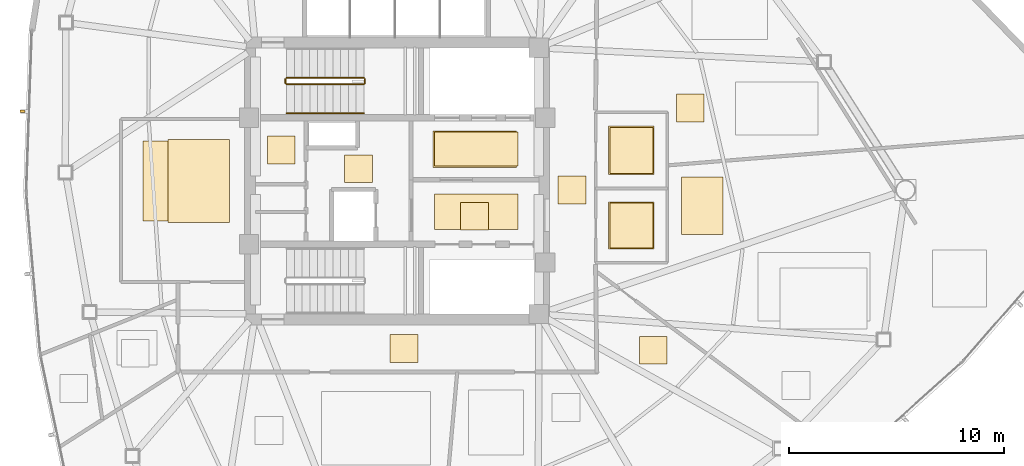
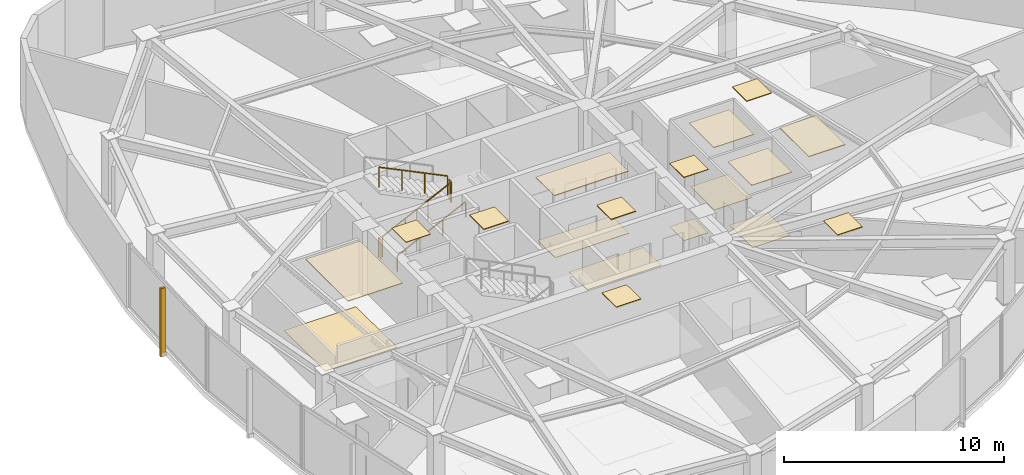
# One storey, part 15 of 17: 18 coverings, 5 railings, 1 shading device.
"""IFC4 building model written with IfcOpenShell, lengths in metres."""

from ifc_helpers import new_model, si_unit, direction, frame, origin, origin_2d, place, context, subcontext, project, spatial, polyline, rectangle, outline, extrude, source, transform, mapped, material, layer, layer_set, type_object, type_shapes, element, save


model = new_model("IFC4")

# Units and contexts
model_context = context("Model", 3, precision=1e-05, world=origin(), true_north=direction((0.0, 1.0)))
body_context = subcontext(model_context, "Body", "Model", "MODEL_VIEW")
ifc_project = project(units=[si_unit("LENGTHUNIT", "METRE"), si_unit("AREAUNIT", "SQUARE_METRE"), si_unit("VOLUMEUNIT", "CUBIC_METRE"), si_unit("PLANEANGLEUNIT", "RADIAN"), si_unit("MASSUNIT", "GRAM", prefix="KILO")], contexts=[model_context])

# Site, building, storey
site_placement = place(None, origin())
site = spatial("IfcSite", under=ifc_project, at=site_placement, CompositionType="ELEMENT")
building_placement = place(site_placement, origin())
building = spatial("IfcBuilding", under=site, at=building_placement, Name="Tavelor Broadcast Tower", CompositionType="ELEMENT")
storey_placement = place(building_placement, frame((0.0, 0.0, 165.64990234375)))
storey = spatial("IfcBuildingStorey", under=building, at=storey_placement, Name="L39", CompositionType="ELEMENT", Elevation=165.64990234375)

# Coverings
ifc_material_1 = material(Name="Copper-Bronze Anodized Aluminium", Category="aluminium")
ifc_layer_1 = layer(ifc_material_1, 0.044921875)
ifc_layer_set_1 = layer_set([ifc_layer_1], Name="Copper-Bronze Anodized Aluminium")
covering_type_1 = type_object("IfcCoveringType", Name="Anodised Bronze Linear Slatted Concourse Ceiling 45 mm", PredefinedType="CEILING", material=ifc_layer_set_1)
covering_1_placement = place(storey_placement, frame((0.0, 0.0, 3.505126953125)))
element("IfcCovering", 1, at=covering_1_placement, inside=storey, type_object=covering_type_1, Name="L39 Suspended Acoustic Ceiling 1613", PredefinedType="CEILING", context=body_context, shape_type="SweptSolid", body=[
    extrude(outline(polyline([(51.659912109375, 45.6318359375), (55.55712890625, 45.6318359375), (55.55712890625, 47.328125), (51.659912109375, 47.328125), (51.659912109375, 45.6318359375)])), origin(), (0.0, 0.0, 1.0), 0.044921875),
])
covering_2_placement = place(storey_placement, frame((0.0, 0.0, 3.505126953125)))
element("IfcCovering", 2, at=covering_2_placement, inside=storey, type_object=covering_type_1, Name="L39 Suspended Acoustic Ceiling 1614", PredefinedType="CEILING", context=body_context, shape_type="SweptSolid", body=[
    extrude(outline(polyline([(52.95361328125, 42.705078125), (54.25341796875, 42.705078125), (54.25341796875, 44.0048828125), (52.95361328125, 44.0048828125), (52.95361328125, 42.705078125)])), origin(), (0.0, 0.0, 1.0), 0.044921875),
])
covering_3_placement = place(storey_placement, frame((0.0, 0.0, 3.505126953125)))
element("IfcCovering", 3, at=covering_3_placement, inside=storey, type_object=covering_type_1, Name="L39 Suspended Acoustic Ceiling 1615", PredefinedType="CEILING", context=body_context, shape_type="SweptSolid", body=[
    extrude(outline(polyline([(47.544921875, 44.919921875), (48.844970703125, 44.919921875), (48.844970703125, 46.219970703125), (47.544921875, 46.219970703125), (47.544921875, 44.919921875)])), origin(), (0.0, 0.0, 1.0), 0.044921875),
])

# Railing
ifc_material_2 = material(Name="Steel S355", Category="steel")
railing_type_1 = type_object("IfcRailingType", Name="Continuous Brushed Stainless Handrail 900 mm", PredefinedType="HANDRAIL", material=ifc_material_2)
railing_1_placement = place(storey_placement, frame((44.85009765625, 48.14990234375, 0.175048828125)))
element("IfcRailing", 4, at=railing_1_placement, inside=storey, type_object=railing_type_1, Name="L39 ST1 stair handrail 1", PredefinedType="HANDRAIL", context=body_context, shape_type="SweptSolid", body=[
    extrude(rectangle(XDim=0.048095703125, YDim=0.048095703125, at=origin_2d()), frame((0.0, 0.0, 0.8759765625), z_axis=(0.899360859046, 0.0, 0.437207096483), x_axis=(0.0, 1.0, 0.0)), (0.0, 0.0, 1.0), 4.002685546875),
    extrude(rectangle(XDim=0.0419921875, YDim=0.0419921875, at=origin_2d()), origin(), (0.0, 0.0, 1.0), 0.851806640625),
    extrude(rectangle(XDim=0.0419921875, YDim=0.0419921875, at=origin_2d()), frame((1.199951171875, 0.0, 0.583251953125)), (0.0, 0.0, 1.0), 0.851806640625),
    extrude(rectangle(XDim=0.0419921875, YDim=0.0419921875, at=origin_2d()), frame((2.39990234375, 0.0, 1.166748046875)), (0.0, 0.0, 1.0), 0.851806640625),
    extrude(rectangle(XDim=0.0419921875, YDim=0.0419921875, at=origin_2d()), frame((3.599853515625, 0.0, 1.75)), (0.0, 0.0, 1.0), 0.851806640625),
])

# Coverings
ifc_material_3 = material(Name="Architectural Anodized Aluminium", Category="aluminium")
ifc_layer_2 = layer(ifc_material_3, 0.034912109375)
ifc_layer_set_2 = layer_set([ifc_layer_2], Name="Architectural Anodized Aluminium")
covering_type_2 = type_object("IfcCoveringType", Name="Demountable Metal Tile Corridor Ceiling 35 mm", PredefinedType="CEILING", material=ifc_layer_set_2)
covering_4_placement = place(storey_placement, frame((0.0, 0.0, 3.51513671875)))
element("IfcCovering", 5, at=covering_4_placement, inside=storey, type_object=covering_type_2, Name="L39 Suspended Acoustic Ceiling 1617", PredefinedType="CEILING", context=body_context, shape_type="SweptSolid", body=[
    extrude(outline(polyline([(57.489990234375, 43.925048828125), (58.7900390625, 43.925048828125), (58.7900390625, 45.22509765625), (57.489990234375, 45.22509765625), (57.489990234375, 43.925048828125)])), origin(), (0.0, 0.0, 1.0), 0.034912109375),
])
covering_5_placement = place(storey_placement, frame((0.0, 0.0, 3.51513671875)))
element("IfcCovering", 6, at=covering_5_placement, inside=storey, type_object=covering_type_2, Name="L39 Suspended Acoustic Ceiling 1618", PredefinedType="CEILING", context=body_context, shape_type="SweptSolid", body=[
    extrude(outline(polyline([(49.669921875, 36.550048828125), (50.9697265625, 36.550048828125), (50.9697265625, 37.85009765625), (49.669921875, 37.85009765625), (49.669921875, 36.550048828125)])), origin(), (0.0, 0.0, 1.0), 0.034912109375),
])
ifc_material_4 = material(Name="Acoustic Nylon Carpet Tile")
ifc_layer_3 = layer(ifc_material_4, 0.02001953125)
ifc_layer_set_3 = layer_set([ifc_layer_3], Name="Acoustic Nylon Carpet Tile")
covering_type_3 = type_object("IfcCoveringType", Name="Heavy-Duty Acoustic Broadcast Carpet Tile 20 mm", PredefinedType="FLOORING", material=ifc_layer_set_3)
covering_6_placement = place(storey_placement, origin())
element("IfcCovering", 7, at=covering_6_placement, inside=storey, type_object=covering_type_3, Name="L39 Broadcast Floor Finish 0571", PredefinedType="FLOORING", context=body_context, shape_type="SweptSolid", body=[
    extrude(outline(polyline([(57.489990234375, 43.925048828125), (58.7900390625, 43.925048828125), (58.7900390625, 45.22509765625), (57.489990234375, 45.22509765625), (57.489990234375, 43.925048828125)])), origin(), (0.0, 0.0, 1.0), 0.02001953125),
])
covering_7_placement = place(storey_placement, origin())
element("IfcCovering", 8, at=covering_7_placement, inside=storey, type_object=covering_type_3, Name="L39 Broadcast Floor Finish 0572", PredefinedType="FLOORING", context=body_context, shape_type="SweptSolid", body=[
    extrude(outline(polyline([(38.15771484375, 43.12890625), (41.942138671875, 43.12890625), (41.942138671875, 46.87060546875), (38.15771484375, 46.87060546875), (38.15771484375, 43.12890625)])), origin(), (0.0, 0.0, 1.0), 0.02001953125),
])
ifc_material_5 = material(Name="Honed Natural Limestone Tile", Category="masonry")
ifc_layer_4 = layer(ifc_material_5, 0.030029296875)
ifc_layer_set_4 = layer_set([ifc_layer_4], Name="Honed Natural Limestone Tile")
covering_type_4 = type_object("IfcCoveringType", Name="Honed Jerusalem Limestone Concourse Flooring 30 mm", PredefinedType="FLOORING", material=ifc_layer_set_4)
covering_8_placement = place(storey_placement, origin())
element("IfcCovering", 9, at=covering_8_placement, inside=storey, type_object=covering_type_4, Name="L39 Broadcast Floor Finish 0569", PredefinedType="FLOORING", context=body_context, shape_type="SweptSolid", body=[
    extrude(outline(polyline([(51.7373046875, 45.689453125), (55.62255859375, 45.689453125), (55.62255859375, 47.2705078125), (51.7373046875, 47.2705078125), (51.7373046875, 45.689453125)])), origin(), (0.0, 0.0, 1.0), 0.030029296875),
])
covering_9_placement = place(storey_placement, origin())
element("IfcCovering", 10, at=covering_9_placement, inside=storey, type_object=covering_type_4, Name="L39 Broadcast Floor Finish 0570", PredefinedType="FLOORING", context=body_context, shape_type="SweptSolid", body=[
    extrude(outline(polyline([(51.728759765625, 42.743408203125), (55.62109375, 42.743408203125), (55.62109375, 44.396484375), (51.728759765625, 44.396484375), (51.728759765625, 42.743408203125)])), origin(), (0.0, 0.0, 1.0), 0.030029296875),
])
ifc_layer_5 = layer(ifc_material_3, 0.030029296875)
ifc_layer_set_5 = layer_set([ifc_layer_5], Name="Architectural Anodized Aluminium")
covering_type_5 = type_object("IfcCoveringType", Name="Moisture-Resistant Washroom Ceiling 30 mm", PredefinedType="CEILING", material=ifc_layer_set_5)
covering_10_placement = place(storey_placement, frame((0.0, 0.0, 3.52001953125)))
element("IfcCovering", 11, at=covering_10_placement, inside=storey, type_object=covering_type_5, Name="L39 Suspended Acoustic Ceiling 1616", PredefinedType="CEILING", context=body_context, shape_type="SweptSolid", body=[
    extrude(outline(polyline([(43.951416015625, 45.794921875), (45.25146484375, 45.794921875), (45.25146484375, 47.094970703125), (43.951416015625, 47.094970703125), (43.951416015625, 45.794921875)])), origin(), (0.0, 0.0, 1.0), 0.030029296875),
])
covering_11_placement = place(storey_placement, frame((0.0, 0.0, 3.52001953125)))
element("IfcCovering", 12, at=covering_11_placement, inside=storey, type_object=covering_type_5, Name="L39 Suspended Acoustic Ceiling 1620", PredefinedType="CEILING", context=body_context, shape_type="SweptSolid", body=[
    extrude(outline(polyline([(59.85302734375, 41.828369140625), (61.967041015625, 41.828369140625), (61.967041015625, 44.021484375), (59.85302734375, 44.021484375), (59.85302734375, 41.828369140625)])), origin(), (0.0, 0.0, 1.0), 0.030029296875),
])
covering_12_placement = place(storey_placement, frame((0.0, 0.0, 3.52001953125)))
element("IfcCovering", 13, at=covering_12_placement, inside=storey, type_object=covering_type_5, Name="L39 Suspended Acoustic Ceiling 1621", PredefinedType="CEILING", context=body_context, shape_type="SweptSolid", body=[
    extrude(outline(polyline([(59.85302734375, 45.29248046875), (61.967041015625, 45.29248046875), (61.967041015625, 47.5576171875), (59.85302734375, 47.5576171875), (59.85302734375, 45.29248046875)])), origin(), (0.0, 0.0, 1.0), 0.030029296875),
])
ifc_material_6 = material(Name="Slip-Resistant Porcelain Tile")
ifc_layer_6 = layer(ifc_material_6, 0.02490234375)
ifc_layer_set_6 = layer_set([ifc_layer_6], Name="Slip-Resistant Porcelain Tile")
covering_type_6 = type_object("IfcCoveringType", Name="Slip-Resistant Porcelain Wet-Area Floor Tile 25 mm", PredefinedType="FLOORING", material=ifc_layer_set_6)
covering_13_placement = place(storey_placement, origin())
element("IfcCovering", 14, at=covering_13_placement, inside=storey, type_object=covering_type_6, Name="L39 Broadcast Floor Finish 0573", PredefinedType="FLOORING", context=body_context, shape_type="SweptSolid", body=[
    extrude(outline(polyline([(59.91064453125, 41.885986328125), (61.909423828125, 41.885986328125), (61.909423828125, 43.964111328125), (59.91064453125, 43.964111328125), (59.91064453125, 41.885986328125)])), origin(), (0.0, 0.0, 1.0), 0.025146484375),
])
covering_14_placement = place(storey_placement, origin())
element("IfcCovering", 15, at=covering_14_placement, inside=storey, type_object=covering_type_6, Name="L39 Broadcast Floor Finish 0574", PredefinedType="FLOORING", context=body_context, shape_type="SweptSolid", body=[
    extrude(outline(polyline([(59.91064453125, 45.35009765625), (61.909423828125, 45.35009765625), (61.909423828125, 47.5), (59.91064453125, 47.5), (59.91064453125, 45.35009765625)])), origin(), (0.0, 0.0, 1.0), 0.025146484375),
])

# Railings
railing_type_2 = type_object("IfcRailingType", Name="Stairwell Steel Safety Guardrail 1150 mm", PredefinedType="GUARDRAIL", material=ifc_material_2)
railing_2_placement = place(storey_placement, frame((44.85009765625, 49.5, 0.175048828125)))
element("IfcRailing", 16, at=railing_2_placement, inside=storey, type_object=railing_type_2, Name="L39 ST1 stair guard 1", PredefinedType="GUARDRAIL", context=body_context, shape_type="SweptSolid", body=[
    extrude(rectangle(XDim=0.048095703125, YDim=0.048095703125, at=origin_2d()), frame((0.0, 0.0, 1.1259765625), z_axis=(0.899360859046, 0.0, 0.437207096483), x_axis=(0.0, 1.0, 0.0)), (0.0, 0.0, 1.0), 4.002685546875),
    extrude(rectangle(XDim=0.0419921875, YDim=0.0419921875, at=origin_2d()), origin(), (0.0, 0.0, 1.0), 1.101806640625),
    extrude(rectangle(XDim=0.0419921875, YDim=0.0419921875, at=origin_2d()), frame((1.199951171875, 0.0, 0.583251953125)), (0.0, 0.0, 1.0), 1.101806640625),
    extrude(rectangle(XDim=0.0419921875, YDim=0.0419921875, at=origin_2d()), frame((2.39990234375, 0.0, 1.166748046875)), (0.0, 0.0, 1.0), 1.101806640625),
    extrude(rectangle(XDim=0.0419921875, YDim=0.0419921875, at=origin_2d()), frame((3.599853515625, 0.0, 1.75)), (0.0, 0.0, 1.0), 1.101806640625),
])
railing_3_placement = place(storey_placement, frame((48.5, 49.550048828125, 1.925048828125)))
element("IfcRailing", 17, at=railing_3_placement, inside=storey, type_object=railing_type_2, Name="L39 ST1 stair guard 2", PredefinedType="GUARDRAIL", context=body_context, shape_type="SweptSolid", body=[
    extrude(rectangle(XDim=0.048095703125, YDim=0.048095703125, at=origin_2d()), frame((0.0, 0.0, 1.1259765625), z_axis=(0.0, 1.0, 0.0), x_axis=(-1.0, 0.0, 0.0)), (0.0, 0.0, 1.0), 0.199951171875),
    extrude(rectangle(XDim=0.0419921875, YDim=0.0419921875, at=origin_2d()), origin(), (0.0, 0.0, 1.0), 1.101806640625),
    extrude(rectangle(XDim=0.0419921875, YDim=0.0419921875, at=origin_2d()), frame((0.0, 0.199951171875, 0.0)), (0.0, 0.0, 1.0), 1.101806640625),
])
railing_4_placement = place(storey_placement, frame((48.449951171875, 49.800048828125, 2.10009765625)))
element("IfcRailing", 18, at=railing_4_placement, inside=storey, type_object=railing_type_2, Name="L39 ST1 stair guard 3", PredefinedType="GUARDRAIL", context=body_context, shape_type="SweptSolid", body=[
    extrude(rectangle(XDim=0.048095703125, YDim=0.048095703125, at=origin_2d()), frame((0.0, 0.0, 1.1259765625), z_axis=(-0.899360859046, 0.0, 0.437207096483), x_axis=(0.0, -1.0, 0.0)), (0.0, 0.0, 1.0), 4.002685546875),
    extrude(rectangle(XDim=0.0419921875, YDim=0.0419921875, at=origin_2d()), origin(), (0.0, 0.0, 1.0), 1.101806640625),
    extrude(rectangle(XDim=0.0419921875, YDim=0.0419921875, at=origin_2d()), frame((-1.199951171875, 0.0, 0.583251953125)), (0.0, 0.0, 1.0), 1.101806640625),
    extrude(rectangle(XDim=0.0419921875, YDim=0.0419921875, at=origin_2d()), frame((-2.39990234375, 0.0, 1.166748046875)), (0.0, 0.0, 1.0), 1.101806640625),
    extrude(rectangle(XDim=0.0419921875, YDim=0.0419921875, at=origin_2d()), frame((-3.599853515625, 0.0, 1.75)), (0.0, 0.0, 1.0), 1.101806640625),
])
railing_5_placement = place(storey_placement, frame((44.800048828125, 49.550048828125, 0.0)))
element("IfcRailing", 19, at=railing_5_placement, inside=storey, type_object=railing_type_2, Name="L39 ST1 stair guard 4", PredefinedType="GUARDRAIL", context=body_context, shape_type="SweptSolid", body=[
    extrude(rectangle(XDim=0.048095703125, YDim=0.048095703125, at=origin_2d()), frame((0.0, 0.0, 1.1259765625), z_axis=(0.0, 1.0, 0.0), x_axis=(-1.0, 0.0, 0.0)), (0.0, 0.0, 1.0), 0.199951171875),
    extrude(rectangle(XDim=0.0419921875, YDim=0.0419921875, at=origin_2d()), origin(), (0.0, 0.0, 1.0), 1.101806640625),
    extrude(rectangle(XDim=0.0419921875, YDim=0.0419921875, at=origin_2d()), frame((0.0, 0.199951171875, 0.0)), (0.0, 0.0, 1.0), 1.101806640625),
])

# Coverings
ifc_material_7 = material(Name="Acoustic Mineral Fibre Tile")
ifc_layer_7 = layer(ifc_material_7, 0.0400390625)
ifc_layer_set_7 = layer_set([ifc_layer_7], Name="Acoustic Mineral Fibre Tile")
covering_type_7 = type_object("IfcCoveringType", Name="Suspended Acoustic Mineral-Fibre Office Ceiling 40 mm", PredefinedType="CEILING", material=ifc_layer_set_7)
covering_15_placement = place(storey_placement, frame((0.0, 0.0, 3.510009765625)))
element("IfcCovering", 20, at=covering_15_placement, inside=storey, type_object=covering_type_7, Name="L39 Suspended Acoustic Ceiling 1619", PredefinedType="CEILING", context=body_context, shape_type="SweptSolid", body=[
    extrude(outline(polyline([(39.321533203125, 43.0712890625), (42.198486328125, 43.0712890625), (42.198486328125, 46.927978515625), (39.321533203125, 46.927978515625), (39.321533203125, 43.0712890625)])), origin(), (0.0, 0.0, 1.0), 0.0400390625),
])
covering_16_placement = place(storey_placement, frame((0.0, 0.0, 3.510009765625)))
element("IfcCovering", 21, at=covering_16_placement, inside=storey, type_object=covering_type_7, Name="L39 Suspended Acoustic Ceiling 1622", PredefinedType="CEILING", context=body_context, shape_type="SweptSolid", body=[
    extrude(outline(polyline([(61.27880859375, 36.466552734375), (62.578857421875, 36.466552734375), (62.578857421875, 37.7666015625), (61.27880859375, 37.7666015625), (61.27880859375, 36.466552734375)])), origin(), (0.0, 0.0, 1.0), 0.0400390625),
])
covering_17_placement = place(storey_placement, frame((0.0, 0.0, 3.510009765625)))
element("IfcCovering", 22, at=covering_17_placement, inside=storey, type_object=covering_type_7, Name="L39 Suspended Acoustic Ceiling 1638", PredefinedType="CEILING", context=body_context, shape_type="SweptSolid", body=[
    extrude(outline(polyline([(63.0, 47.748779296875), (64.300048828125, 47.748779296875), (64.300048828125, 49.048828125), (63.0, 49.048828125), (63.0, 47.748779296875)])), origin(), (0.0, 0.0, 1.0), 0.0400390625),
])
covering_18_placement = place(storey_placement, frame((0.0, 0.0, 3.510009765625)))
element("IfcCovering", 23, at=covering_18_placement, inside=storey, type_object=covering_type_7, Name="L39 Suspended Acoustic Ceiling 1640", PredefinedType="CEILING", context=body_context, shape_type="SweptSolid", body=[
    extrude(outline(polyline([(63.24609375, 42.51513671875), (65.16943359375, 42.51513671875), (65.16943359375, 45.173583984375), (63.24609375, 45.173583984375), (63.24609375, 42.51513671875)])), origin(), (0.0, 0.0, 1.0), 0.0400390625),
])

# Shading device
ifc_material_8 = material(Name="Kiln-Fired Glazed Terracotta", Category="masonry")
shading_device_type = type_object("IfcShadingDeviceType", Name="Extruded Terracotta Baguette Sun-Screen 110x240", PredefinedType="JALOUSIE", material=ifc_material_8)
shared_shape = source(origin(), body_context, "Body", "SweptSolid", [
    extrude(rectangle(XDim=0.110107421875, YDim=0.239990234375, at=origin_2d()), origin(), (0.0, 0.0, 1.0), 3.7900390625),
])
type_shapes(shading_device_type, [shared_shape])
shading_device_placement = place(storey_placement, frame((32.5576171875, 48.2392578125, -0.260009765625), z_axis=(0.0, 0.0, 1.0), x_axis=(-0.034550641374, -0.999402948355, 0.0)))
element("IfcShadingDevice", 24, at=shading_device_placement, inside=storey, type_object=shading_device_type, Name="L39 Terracotta Baguette Fin 397", PredefinedType="JALOUSIE", context=body_context, shape_type="MappedRepresentation", body=[
    mapped(shared_shape, transform((0.0, 0.0, 0.0), scale=1.0)),
])

save(model, "model.ifc")
